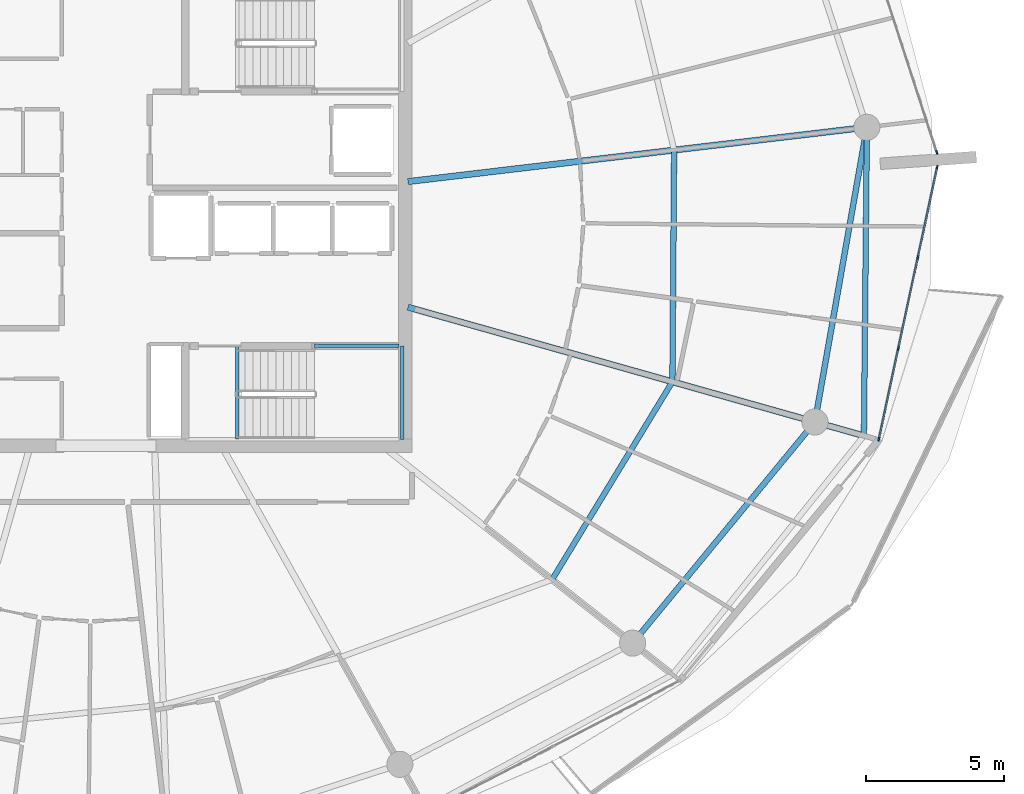
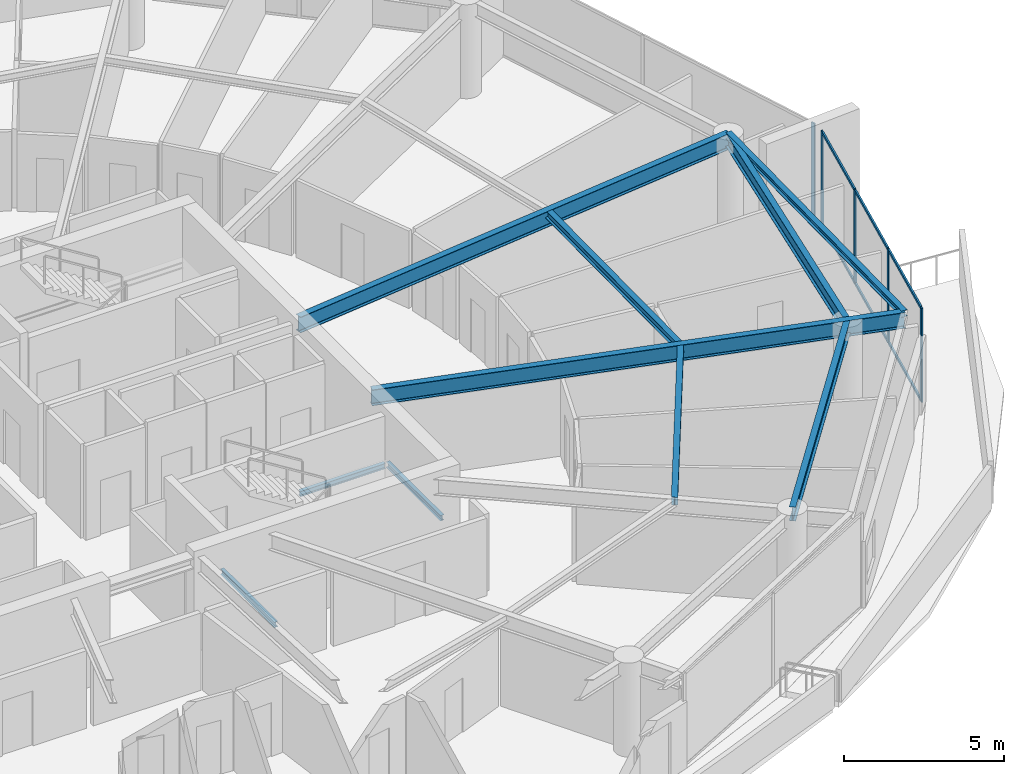
# One storey, part 11 of 31: 11 members, 10 beams, 2 elements without a shape of their own.
"""IFC4 building model written with IfcOpenShell, lengths in metres."""

import ifcopenshell
import ifcopenshell.guid

model = None  # the IFC model being written
_history = None  # IfcOwnerHistory: only IFC2X3 demands one
_inside = {}  # id of a spatial element -> (the spatial element, [elements in it])
_under = {}  # id of a project, library or spatial element -> (it, [spatial elements below it])
_declared = {}  # id of a project -> (the project, [libraries it declares])
_typed = {}  # id of a type object -> (the type object, [elements of that type])
_made_of = {}  # id of a material, layer set ... -> (it, [elements and type objects made of it])


def new_model(schema):
    """Start an empty IFC model of exactly this schema.

    Asked for "IFC4X3", IfcOpenShell would pick the latest addendum, in which some entities
    have other attributes; the version numbers below select the first issue.
    IFC2X3 requires an IfcOwnerHistory on every rooted entity: one is made here for all.
    """
    global model, _history
    if schema == "IFC4X3":
        model = ifcopenshell.file(schema_version=(4, 3, 0, 0))
    else:
        model = ifcopenshell.file(schema=schema)
    _inside.clear()
    _under.clear()
    _declared.clear()
    _typed.clear()
    _made_of.clear()
    _history = None
    if model.schema == "IFC2X3":
        org = make("IfcOrganization", Name="unknown")
        user = make(
            "IfcPersonAndOrganization",
            ThePerson=make("IfcPerson", FamilyName="unknown"),
            TheOrganization=org,
        )
        app = make(
            "IfcApplication",
            ApplicationDeveloper=org,
            Version="unknown",
            ApplicationFullName="unknown",
            ApplicationIdentifier="unknown",
        )
        _history = make(
            "IfcOwnerHistory",
            OwningUser=user,
            OwningApplication=app,
            ChangeAction="ADDED",
            CreationDate=0,
        )
    return model


def make(cls, **values):
    """One entity of the class cls with the attributes given. An attribute that is None is left unset."""
    return model.create_entity(
        cls, **{name: value for name, value in values.items() if value is not None}
    )


def rooted(cls, **values):
    """An entity with a GlobalId (a new one), such as an element, a storey or a relation."""
    return make(cls, GlobalId=ifcopenshell.guid.new(), OwnerHistory=_history, **values)


def si_unit(unit_type, name, prefix=None):
    """IfcSIUnit, for example si_unit("LENGTHUNIT", "METRE", prefix="MILLI")."""
    return make("IfcSIUnit", UnitType=unit_type, Prefix=prefix, Name=name)


def assignment(units):
    """IfcUnitAssignment: the units of a project."""
    return None if units is None else make("IfcUnitAssignment", Units=units)


def point(xyz):
    """IfcCartesianPoint."""
    return None if xyz is None else make("IfcCartesianPoint", Coordinates=xyz)


def direction(xyz):
    """IfcDirection."""
    return None if xyz is None else make("IfcDirection", DirectionRatios=xyz)


def frame(location, z_axis=None, x_axis=None):
    """IfcAxis2Placement3D, a coordinate frame: its origin and axes. An axis left out is left unset."""
    return make(
        "IfcAxis2Placement3D",
        Location=point(location),
        Axis=direction(z_axis),
        RefDirection=direction(x_axis),
    )


def frame_2d(location, x_axis=None):
    """IfcAxis2Placement2D, a coordinate frame in the plane: its origin and x axis."""
    return make(
        "IfcAxis2Placement2D", Location=point(location), RefDirection=direction(x_axis)
    )


def origin():
    """The frame at (0, 0, 0) with its axes left unset."""
    return frame((0.0, 0.0, 0.0))


def origin_2d():
    """The frame at (0, 0) in the plane with its x axis left unset."""
    return frame_2d((0.0, 0.0))


def place(relative_to, where):
    """IfcLocalPlacement: puts the frame where relative to a parent placement (None: the world)."""
    return make(
        "IfcLocalPlacement", PlacementRelTo=relative_to, RelativePlacement=where
    )


def context(
    kind, dimensions, precision=None, world=None, true_north=None, identifier=None
):
    """IfcGeometricRepresentationContext, for example the 3D "Model" context."""
    return make(
        "IfcGeometricRepresentationContext",
        ContextIdentifier=identifier,
        ContextType=kind,
        CoordinateSpaceDimension=dimensions,
        Precision=precision,
        WorldCoordinateSystem=world,
        TrueNorth=true_north,
    )


def subcontext(parent, identifier, kind, view, scale=None):
    """IfcGeometricRepresentationSubContext, for example "Body" below "Model"."""
    return make(
        "IfcGeometricRepresentationSubContext",
        ContextIdentifier=identifier,
        ContextType=kind,
        ParentContext=parent,
        TargetScale=scale,
        TargetView=view,
    )


def project(units=None, contexts=None):
    """IfcProject with its units and contexts."""
    return rooted(
        "IfcProject",
        Name="project",
        RepresentationContexts=contexts,
        UnitsInContext=assignment(units),
    )


def spatial(cls, under=None, at=None, **own):
    """A site, building, storey or space (cls), placed at a placement, below another one or the project."""
    s = rooted(cls, ObjectPlacement=at, **own)
    if under is not None:
        _under.setdefault(under.id(), (under, []))[1].append(s)
    return s


def profile(cls, at=None, kind="AREA", **sizes):
    """A parametric profile (cls). Its sizes go by their IFC names, for example OverallWidth=200.0."""
    return make(cls, ProfileType=kind, Position=at, **sizes)


def rectangle(**sizes):
    """IfcRectangleProfileDef."""
    return profile("IfcRectangleProfileDef", **sizes)


def i_section(**sizes):
    """IfcIShapeProfileDef."""
    return profile("IfcIShapeProfileDef", **sizes)


def extrude(swept, where, along, depth):
    """IfcExtrudedAreaSolid: the profile swept, set in the frame where, extruded along a direction by depth."""
    return make(
        "IfcExtrudedAreaSolid",
        SweptArea=swept,
        Position=where,
        ExtrudedDirection=direction(along),
        Depth=depth,
    )


def shape(context_of_items, identifier, shape_type, items):
    """IfcShapeRepresentation: the items that make up one representation, for example the "Body"."""
    return make(
        "IfcShapeRepresentation",
        ContextOfItems=context_of_items,
        RepresentationIdentifier=identifier,
        RepresentationType=shape_type,
        Items=items,
    )


def material(Name=None, Category=None):
    """IfcMaterial."""
    return make("IfcMaterial", Name=Name, Category=Category)


def layer(
    of_material, thickness, ventilated=None, Name=None, Category=None, Priority=None
):
    """IfcMaterialLayer: one layer of a wall or slab, of a material (None: an air gap)."""
    return make(
        "IfcMaterialLayer",
        Material=of_material,
        LayerThickness=thickness,
        IsVentilated=ventilated,
        Name=Name,
        Category=Category,
        Priority=Priority,
    )


def layer_set(layers, Name=None):
    """IfcMaterialLayerSet."""
    return make("IfcMaterialLayerSet", MaterialLayers=layers, LayerSetName=Name)


def material_profile(
    of_material, cross_section, Name=None, Category=None, Priority=None
):
    """IfcMaterialProfile: a cross section and its material."""
    return make(
        "IfcMaterialProfile",
        Name=Name,
        Material=of_material,
        Profile=cross_section,
        Priority=Priority,
        Category=Category,
    )


def profile_set(profiles, Name=None, composite=None):
    """IfcMaterialProfileSet."""
    return make(
        "IfcMaterialProfileSet",
        Name=Name,
        MaterialProfiles=profiles,
        CompositeProfile=composite,
    )


def made_of(thing, what):
    """Note that an element or type object is made of a material, layer set ...; save() writes the relation."""
    if what is not None:
        _made_of.setdefault(what.id(), (what, []))[1].append(thing)
    return thing


def type_object(cls, material=None, **own):
    """A type object (cls), such as IfcWallType, which elements share."""
    return made_of(rooted(cls, **own), material)


def element(
    cls,
    number,
    at=None,
    inside=None,
    cuts=None,
    type_object=None,
    material=None,
    context=None,
    identifier="Body",
    shape_type=None,
    held_by="IfcProductDefinitionShape",
    body=None,
    shapes=None,
    **own,
):
    """One element of the class cls, such as IfcWall. Its Tag is "e" and its number.

    at: its placement. inside: the storey or other place that contains it. cuts: it is an
    opening in that element (IfcRelVoidsElement). A single representation is given by context,
    identifier, shape_type and body (its items); several are given by shapes. held_by: the class
    of the entity that holds the representations. save() writes the other relations.
    """
    e = rooted(cls, Tag="e%d" % number, ObjectPlacement=at, **own)
    if body is not None:
        shapes = [shape(context, identifier, shape_type, body)]
    if shapes is not None:
        e.Representation = make(held_by, Representations=shapes)
    if inside is not None:
        _inside.setdefault(inside.id(), (inside, []))[1].append(e)
    if cuts is not None:
        rooted(
            "IfcRelVoidsElement", RelatingBuildingElement=cuts, RelatedOpeningElement=e
        )
    if type_object is not None:
        _typed.setdefault(type_object.id(), (type_object, []))[1].append(e)
    return made_of(e, material)


def aggregate(whole, parts):
    """IfcRelAggregates: a whole, such as a stair, and the parts it consists of."""
    return rooted("IfcRelAggregates", RelatingObject=whole, RelatedObjects=parts)


def save(model, path):
    """Write the relations noted so far, then the file.

    IfcRelAggregates (storeys below a building ...), IfcRelContainedInSpatialStructure (elements
    in a storey), IfcRelDefinesByType, IfcRelAssociatesMaterial and IfcRelDeclares: one each for
    every whole, place, type object, material and project.
    """
    for whole, parts in _under.values():
        aggregate(whole, parts)
    for where, things in _inside.values():
        rooted(
            "IfcRelContainedInSpatialStructure",
            RelatedElements=things,
            RelatingStructure=where,
        )
    for kind, things in _typed.values():
        rooted("IfcRelDefinesByType", RelatedObjects=things, RelatingType=kind)
    for what, things in _made_of.values():
        rooted("IfcRelAssociatesMaterial", RelatedObjects=things, RelatingMaterial=what)
    for by, libraries in _declared.values():
        rooted("IfcRelDeclares", RelatingContext=by, RelatedDefinitions=libraries)
    model.write(path)


model = new_model("IFC4")

# Units and contexts
model_context = context("Model", 3, precision=1e-05, world=origin(), true_north=direction((0.0, 1.0)))
body_context = subcontext(model_context, "Body", "Model", "MODEL_VIEW")
ifc_project = project(units=[si_unit("LENGTHUNIT", "METRE"), si_unit("AREAUNIT", "SQUARE_METRE"), si_unit("VOLUMEUNIT", "CUBIC_METRE"), si_unit("PLANEANGLEUNIT", "RADIAN"), si_unit("MASSUNIT", "GRAM", prefix="KILO")], contexts=[model_context])

# Site, building, storey
site_placement = place(None, origin())
site = spatial("IfcSite", under=ifc_project, at=site_placement, CompositionType="ELEMENT")
building_placement = place(site_placement, origin())
building = spatial("IfcBuilding", under=site, at=building_placement, Name="Kazma Halo Residences", CompositionType="ELEMENT")
storey_placement = place(building_placement, frame((0.0, 0.0, 275.199951171875)))
storey = spatial("IfcBuildingStorey", under=building, at=storey_placement, Name="L69", CompositionType="ELEMENT", Elevation=275.199951171875)

# Beams
ifc_material_1 = material(Name="Steel S355", Category="steel")
ifc_material_profile_1 = material_profile(ifc_material_1, i_section(OverallWidth=0.201904296875, OverallDepth=0.2470703125, WebThickness=0.00732421875, FlangeThickness=0.010986328125, FilletRadius=0.011962890625, at=origin_2d()), Name="W250x49.1")
ifc_profile_set_1 = profile_set([ifc_material_profile_1], Name="Steel S355")
beam_type_1 = type_object("IfcBeamType", Name="BM-BAL-CANT", PredefinedType="BEAM", material=ifc_profile_set_1)
beam_1_placement = place(storey_placement, frame((75.971435546875, 34.111083984375, 3.466552734375), z_axis=(0.009645503464, 0.999953481049, 0.0), x_axis=(-0.999953481049, 0.009645503464, 0.0)))
element("IfcBeam", 1, at=beam_1_placement, inside=storey, type_object=beam_type_1, Name="L69 wave-balcony tie beam 15", PredefinedType="BEAM", context=body_context, shape_type="SweptSolid", body=[
    extrude(i_section(OverallWidth=0.201904296875, OverallDepth=0.2470703125, WebThickness=0.00732421875, FlangeThickness=0.010986328125, FilletRadius=0.011962890625, at=origin_2d()), origin(), (0.0, 0.0, 1.0), 11.212890625),
])
ifc_material_profile_2 = material_profile(ifc_material_1, i_section(OverallWidth=0.22802734375, OverallDepth=0.60791015625, WebThickness=0.01123046875, FlangeThickness=0.017333984375, FilletRadius=0.01806640625, at=origin_2d()), Name="W610x113")
ifc_profile_set_2 = profile_set([ifc_material_profile_2], Name="Steel S355")
beam_type_2 = type_object("IfcBeamType", Name="BM-RAD-W610", PredefinedType="BEAM", material=ifc_profile_set_2)
beam_2_placement = place(storey_placement, frame((59.39990234375, 38.784912109375, 3.2861328125), z_axis=(0.962452620609, -0.271449724781, 0.0), x_axis=(0.271449724781, 0.962452620609, 0.0)))
element("IfcBeam", 2, at=beam_2_placement, inside=storey, type_object=beam_type_2, Name="L69 radial floor beam 15", PredefinedType="BEAM", context=body_context, shape_type="SweptSolid", body=[
    extrude(i_section(OverallWidth=0.22802734375, OverallDepth=0.60791015625, WebThickness=0.01123046875, FlangeThickness=0.017333984375, FilletRadius=0.01806640625, at=origin_2d()), origin(), (0.0, 0.0, 1.0), 17.218017578125),
])
beam_3_placement = place(storey_placement, frame((59.39990234375, 43.349365234375, 3.2861328125), z_axis=(0.993068804541, 0.117534460678, 0.0), x_axis=(-0.117534460678, 0.993068804541, 0.0)))
element("IfcBeam", 3, at=beam_3_placement, inside=storey, type_object=beam_type_2, Name="L69 radial floor beam 16", PredefinedType="BEAM", context=body_context, shape_type="SweptSolid", body=[
    extrude(i_section(OverallWidth=0.22802734375, OverallDepth=0.60791015625, WebThickness=0.01123046875, FlangeThickness=0.017333984375, FilletRadius=0.01806640625, at=origin_2d()), origin(), (0.0, 0.0, 1.0), 16.796142578125),
])
ifc_material_profile_3 = material_profile(ifc_material_1, i_section(OverallWidth=0.202880859375, OverallDepth=0.302978515625, WebThickness=0.007568359375, FlangeThickness=0.01318359375, FilletRadius=0.013916015625, at=origin_2d()), Name="W310x60")
ifc_profile_set_3 = profile_set([ifc_material_profile_3], Name="Steel S355")
beam_type_3 = type_object("IfcBeamType", Name="BM-SEC-W310A", PredefinedType="JOIST", material=ifc_profile_set_3)
beam_4_placement = place(storey_placement, frame((64.6396484375, 28.88232421875, 3.4384765625), z_axis=(0.519439801751, 0.854507046406, 0.0), x_axis=(-0.854507046406, 0.519439801751, 0.0)))
element("IfcBeam", 4, at=beam_4_placement, inside=storey, type_object=beam_type_3, Name="L69 circumferential floor joist 14", PredefinedType="JOIST", context=body_context, shape_type="SweptSolid", body=[
    extrude(i_section(OverallWidth=0.202880859375, OverallDepth=0.302978515625, WebThickness=0.007568359375, FlangeThickness=0.01318359375, FilletRadius=0.013916015625, at=origin_2d()), origin(), (0.0, 0.0, 1.0), 8.41650390625),
])
beam_5_placement = place(storey_placement, frame((69.011474609375, 36.07421875, 3.4384765625), z_axis=(0.007451444375, 0.999972237603, 0.0), x_axis=(-0.999972237603, 0.007451444375, 0.0)))
element("IfcBeam", 5, at=beam_5_placement, inside=storey, type_object=beam_type_3, Name="L69 circumferential floor joist 15", PredefinedType="JOIST", context=body_context, shape_type="SweptSolid", body=[
    extrude(i_section(OverallWidth=0.202880859375, OverallDepth=0.302978515625, WebThickness=0.007568359375, FlangeThickness=0.01318359375, FilletRadius=0.013916015625, at=origin_2d()), origin(), (0.0, 0.0, 1.0), 8.42041015625),
])
ifc_material_profile_4 = material_profile(ifc_material_1, i_section(OverallWidth=0.208984375, OverallDepth=0.532958984375, WebThickness=0.01025390625, FlangeThickness=0.015625, FilletRadius=0.01611328125, at=origin_2d()), Name="W530x92")
ifc_profile_set_4 = profile_set([ifc_material_profile_4], Name="Steel S355")
beam_type_4 = type_object("IfcBeamType", Name="BM-SPN-W530", PredefinedType="BEAM", material=ifc_profile_set_4)
beam_6_placement = place(storey_placement, frame((67.566162109375, 26.5751953125, 3.323486328125), z_axis=(0.636002144225, 0.771687289348, 0.0), x_axis=(-0.771687289348, 0.636002144225, 0.0)))
element("IfcBeam", 6, at=beam_6_placement, inside=storey, type_object=beam_type_4, Name="L69 perimeter ring beam 14", PredefinedType="BEAM", context=body_context, shape_type="SweptSolid", body=[
    extrude(i_section(OverallWidth=0.208984375, OverallDepth=0.532958984375, WebThickness=0.01025390625, FlangeThickness=0.015625, FilletRadius=0.01611328125, at=origin_2d()), origin(), (0.0, 0.0, 1.0), 10.416259765625),
])
beam_7_placement = place(storey_placement, frame((74.19091796875, 34.61328125, 3.323486328125), z_axis=(0.173663672311, 0.984805020763, 0.0), x_axis=(-0.984805020763, 0.173663672311, 0.0)))
element("IfcBeam", 7, at=beam_7_placement, inside=storey, type_object=beam_type_4, Name="L69 perimeter ring beam 15", PredefinedType="BEAM", context=body_context, shape_type="SweptSolid", body=[
    extrude(i_section(OverallWidth=0.208984375, OverallDepth=0.532958984375, WebThickness=0.01025390625, FlangeThickness=0.015625, FilletRadius=0.01611328125, at=origin_2d()), origin(), (0.0, 0.0, 1.0), 10.87548828125),
])
ifc_material_profile_5 = material_profile(ifc_material_1, i_section(OverallWidth=0.133056640625, OverallDepth=0.20703125, WebThickness=0.005859375, FlangeThickness=0.00830078125, FilletRadius=0.010009765625, at=origin_2d()), Name="W200x26.6")
ifc_profile_set_5 = profile_set([ifc_material_profile_5], Name="Steel S355")
beam_type_5 = type_object("IfcBeamType", Name="BM-TRIM-W200", PredefinedType="BEAM", material=ifc_profile_set_5)
beam_8_placement = place(storey_placement, frame((53.199951171875, 34.0, -0.369873046875), z_axis=(0.0, 1.0, 0.0), x_axis=(-1.0, 0.0, 0.0)))
element("IfcBeam", 8, at=beam_8_placement, inside=storey, type_object=beam_type_5, Name="L69 ST-03 floor landing support beam", PredefinedType="BEAM", context=body_context, shape_type="SweptSolid", body=[
    extrude(i_section(OverallWidth=0.133056640625, OverallDepth=0.20703125, WebThickness=0.005859375, FlangeThickness=0.00830078125, FilletRadius=0.010009765625, at=origin_2d()), origin(), (0.0, 0.0, 1.0), 3.3798828125),
])
beam_9_placement = place(storey_placement, frame((56.0, 37.3798828125, 1.6201171875), z_axis=(1.0, 0.0, 0.0), x_axis=(0.0, 1.0, 0.0)))
element("IfcBeam", 9, at=beam_9_placement, inside=storey, type_object=beam_type_5, Name="L69 ST-03 landing north wall ledger", PredefinedType="BEAM", context=body_context, shape_type="SweptSolid", body=[
    extrude(i_section(OverallWidth=0.133056640625, OverallDepth=0.20703125, WebThickness=0.005859375, FlangeThickness=0.00830078125, FilletRadius=0.010009765625, at=origin_2d()), origin(), (0.0, 0.0, 1.0), 3.070068359375),
])
beam_10_placement = place(storey_placement, frame((59.18994140625, 33.97998046875, 1.6201171875), z_axis=(0.0, 1.0, 0.0), x_axis=(-1.0, 0.0, 0.0)))
element("IfcBeam", 10, at=beam_10_placement, inside=storey, type_object=beam_type_5, Name="L69 ST-03 landing end wall ledger", PredefinedType="BEAM", context=body_context, shape_type="SweptSolid", body=[
    extrude(i_section(OverallWidth=0.133056640625, OverallDepth=0.20703125, WebThickness=0.005859375, FlangeThickness=0.00830078125, FilletRadius=0.010009765625, at=origin_2d()), origin(), (0.0, 0.0, 1.0), 3.39990234375),
])

# Curtain wall, members
ifc_material_2 = material(Name="Aluminium AW-6063 T6 and Triple-Silver Low-E Glass", Category="aluminium")
ifc_layer = layer(ifc_material_2, 0.139892578125)
ifc_layer_set = layer_set([ifc_layer], Name="Aluminium AW-6063 T6 and Triple-Silver Low-E Glass")
curtain_wall_type = type_object("IfcCurtainWallType", Name="CW-SYS-5", PredefinedType="NOTDEFINED", material=ifc_layer_set)
curtain_wall_1_placement = place(storey_placement, origin())
curtain_wall_1 = element("IfcCurtainWall", 11, at=curtain_wall_1_placement, inside=storey, type_object=curtain_wall_type, Name="L69 unitised curtain wall B15", PredefinedType="NOTDEFINED")
ifc_material_3 = material(Name="Aluminium AW-6063 T6", Category="aluminium")
ifc_material_profile_6 = material_profile(ifc_material_3, rectangle(XDim=0.06005859375, YDim=0.139892578125, at=origin_2d()), Name="CWM-60x140")
ifc_profile_set_6 = profile_set([ifc_material_profile_6], Name="Aluminium AW-6063 T6")
member_type_1 = type_object("IfcMemberType", Name="CW-SYS-5-MUL", PredefinedType="MULLION", material=ifc_profile_set_6)
member_1_placement = place(storey_placement, frame((76.514892578125, 33.989013671875, 0.0), z_axis=(0.0, 0.0, 1.0), x_axis=(-0.97777491373, 0.209657382603, 0.0)))
member_1 = element("IfcMember", 12, at=member_1_placement, type_object=member_type_1, Name="CWS-5 mullion 1", PredefinedType="MULLION", context=body_context, shape_type="SweptSolid", body=[
    extrude(rectangle(XDim=0.06005859375, YDim=0.139892578125, at=origin_2d()), origin(), (0.0, 0.0, 1.0), 3.590087890625),
])
member_2_placement = place(storey_placement, frame((77.218994140625, 37.2734375, 0.0), z_axis=(0.0, 0.0, 1.0), x_axis=(-0.97777491373, 0.209657382603, 0.0)))
member_2 = element("IfcMember", 13, at=member_2_placement, type_object=member_type_1, Name="CWS-5 mullion 2", PredefinedType="MULLION", context=body_context, shape_type="SweptSolid", body=[
    extrude(rectangle(XDim=0.06005859375, YDim=0.139892578125, at=origin_2d()), origin(), (0.0, 0.0, 1.0), 3.590087890625),
])
member_3_placement = place(storey_placement, frame((77.9296875, 40.587158203125, 0.0), z_axis=(0.0, 0.0, 1.0), x_axis=(-0.97777491373, 0.209657382603, 0.0)))
member_3 = element("IfcMember", 14, at=member_3_placement, type_object=member_type_1, Name="CWS-5 mullion 3", PredefinedType="MULLION", context=body_context, shape_type="SweptSolid", body=[
    extrude(rectangle(XDim=0.06005859375, YDim=0.139892578125, at=origin_2d()), origin(), (0.0, 0.0, 1.0), 3.590087890625),
])
member_4_placement = place(storey_placement, frame((78.6337890625, 43.87158203125, 0.0), z_axis=(0.0, 0.0, 1.0), x_axis=(-0.97777491373, 0.209657382603, 0.0)))
member_4 = element("IfcMember", 15, at=member_4_placement, type_object=member_type_1, Name="CWS-5 mullion 4", PredefinedType="MULLION", context=body_context, shape_type="SweptSolid", body=[
    extrude(rectangle(XDim=0.06005859375, YDim=0.139892578125, at=origin_2d()), origin(), (0.0, 0.0, 1.0), 3.590087890625),
])

# Curtain wall, member
curtain_wall_2_placement = place(storey_placement, origin())
curtain_wall_2 = element("IfcCurtainWall", 16, at=curtain_wall_2_placement, inside=storey, type_object=curtain_wall_type, Name="L69 unitised curtain wall B16", PredefinedType="NOTDEFINED")
member_5_placement = place(storey_placement, frame((78.622802734375, 44.412353515625, 0.0), z_axis=(0.0, 0.0, 1.0), x_axis=(-0.951058464359, -0.309010998786, 0.0)))
member_5 = element("IfcMember", 17, at=member_5_placement, type_object=member_type_1, Name="CWS-5 mullion 1", PredefinedType="MULLION", context=body_context, shape_type="SweptSolid", body=[
    extrude(rectangle(XDim=0.06005859375, YDim=0.139892578125, at=origin_2d()), origin(), (0.0, 0.0, 1.0), 3.590087890625),
])
aggregate(curtain_wall_2, [member_5])

# Member
ifc_material_profile_7 = material_profile(ifc_material_3, rectangle(XDim=0.06005859375, YDim=0.10498046875, at=origin_2d()), Name="CWT-60x105")
ifc_profile_set_7 = profile_set([ifc_material_profile_7], Name="Aluminium AW-6063 T6")
member_type_2 = type_object("IfcMemberType", Name="CW-SYS-5-TRN", PredefinedType="USERDEFINED", material=ifc_profile_set_7)
member_6_placement = place(storey_placement, frame((76.52099609375, 34.0185546875, 0.030029296875), z_axis=(0.209660493552, 0.977774246666, 0.0), x_axis=(-0.977774246666, 0.209660493552, 0.0)))
member_6 = element("IfcMember", 18, at=member_6_placement, type_object=member_type_2, Name="CWS-5 transom 1.1", ObjectType="TRANSOM", PredefinedType="USERDEFINED", context=body_context, shape_type="SweptSolid", body=[
    extrude(rectangle(XDim=0.06005859375, YDim=0.10498046875, at=origin_2d()), origin(), (0.0, 0.0, 1.0), 3.298828125),
])

member_7_placement = place(storey_placement, frame((76.52099609375, 34.0185546875, 3.56005859375), z_axis=(0.209660493552, 0.977774246666, 0.0), x_axis=(-0.977774246666, 0.209660493552, 0.0)))
member_7 = element("IfcMember", 19, at=member_7_placement, type_object=member_type_2, Name="CWS-5 transom 1.2", ObjectType="TRANSOM", PredefinedType="USERDEFINED", context=body_context, shape_type="SweptSolid", body=[
    extrude(rectangle(XDim=0.06005859375, YDim=0.10498046875, at=origin_2d()), origin(), (0.0, 0.0, 1.0), 3.298828125),
])

member_8_placement = place(storey_placement, frame((77.225341796875, 37.302734375, 0.030029296875), z_axis=(0.209664309019, 0.977773428522, 0.0), x_axis=(-0.977773428522, 0.209664309019, 0.0)))
member_8 = element("IfcMember", 20, at=member_8_placement, type_object=member_type_2, Name="CWS-5 transom 2.1", ObjectType="TRANSOM", PredefinedType="USERDEFINED", context=body_context, shape_type="SweptSolid", body=[
    extrude(rectangle(XDim=0.06005859375, YDim=0.10498046875, at=origin_2d()), origin(), (0.0, 0.0, 1.0), 3.3291015625),
])

member_9_placement = place(storey_placement, frame((77.225341796875, 37.302734375, 3.56005859375), z_axis=(0.209664309019, 0.977773428522, 0.0), x_axis=(-0.977773428522, 0.209664309019, 0.0)))
member_9 = element("IfcMember", 21, at=member_9_placement, type_object=member_type_2, Name="CWS-5 transom 2.2", ObjectType="TRANSOM", PredefinedType="USERDEFINED", context=body_context, shape_type="SweptSolid", body=[
    extrude(rectangle(XDim=0.06005859375, YDim=0.10498046875, at=origin_2d()), origin(), (0.0, 0.0, 1.0), 3.3291015625),
])

member_10_placement = place(storey_placement, frame((77.935791015625, 40.616455078125, 0.030029296875), z_axis=(0.209645323239, 0.977777499457, 0.0), x_axis=(-0.977777499457, 0.209645323239, 0.0)))
member_10 = element("IfcMember", 22, at=member_10_placement, type_object=member_type_2, Name="CWS-5 transom 3.1", ObjectType="TRANSOM", PredefinedType="USERDEFINED", context=body_context, shape_type="SweptSolid", body=[
    extrude(rectangle(XDim=0.06005859375, YDim=0.10498046875, at=origin_2d()), origin(), (0.0, 0.0, 1.0), 3.299072265625),
])

member_11_placement = place(storey_placement, frame((77.935791015625, 40.616455078125, 3.56005859375), z_axis=(0.209645323239, 0.977777499457, 0.0), x_axis=(-0.977777499457, 0.209645323239, 0.0)))
member_11 = element("IfcMember", 23, at=member_11_placement, type_object=member_type_2, Name="CWS-5 transom 3.2", ObjectType="TRANSOM", PredefinedType="USERDEFINED", context=body_context, shape_type="SweptSolid", body=[
    extrude(rectangle(XDim=0.06005859375, YDim=0.10498046875, at=origin_2d()), origin(), (0.0, 0.0, 1.0), 3.299072265625),
])

aggregate(curtain_wall_1, [member_1, member_2, member_3, member_4, member_6, member_7, member_8, member_9, member_10, member_11])

save(model, "model.ifc")
